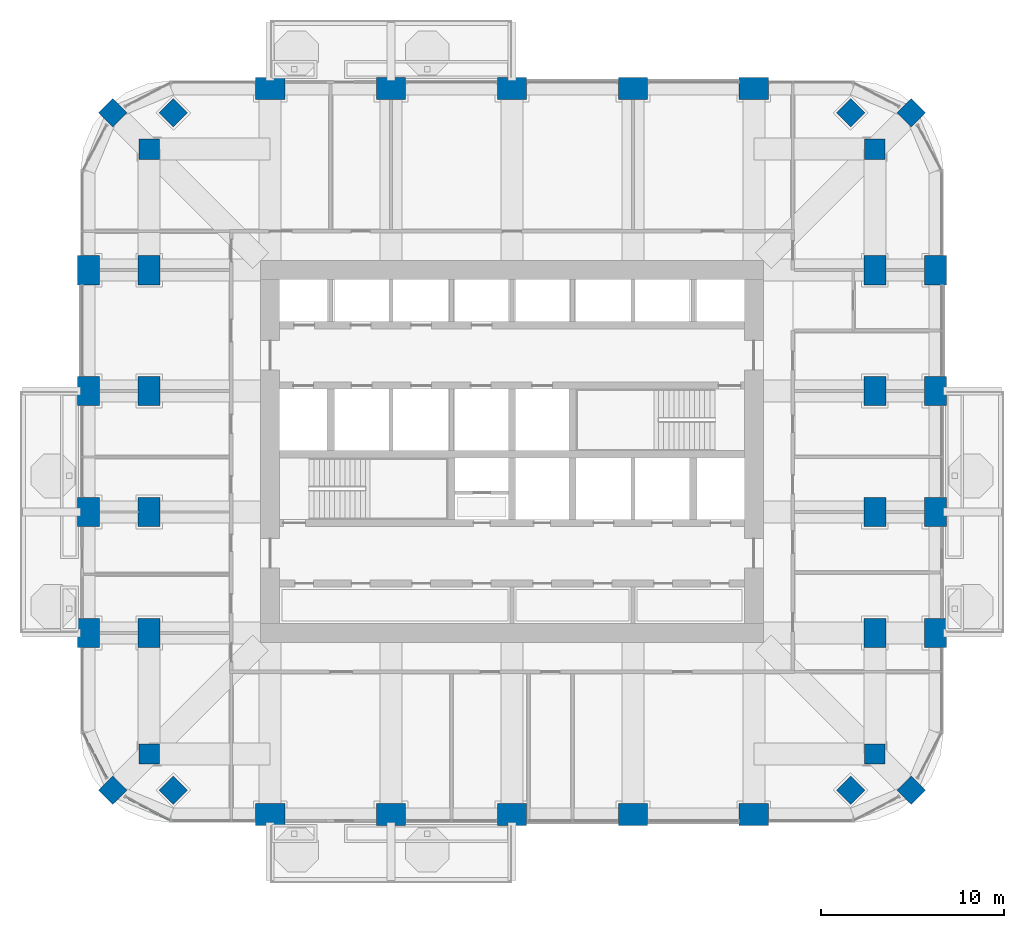
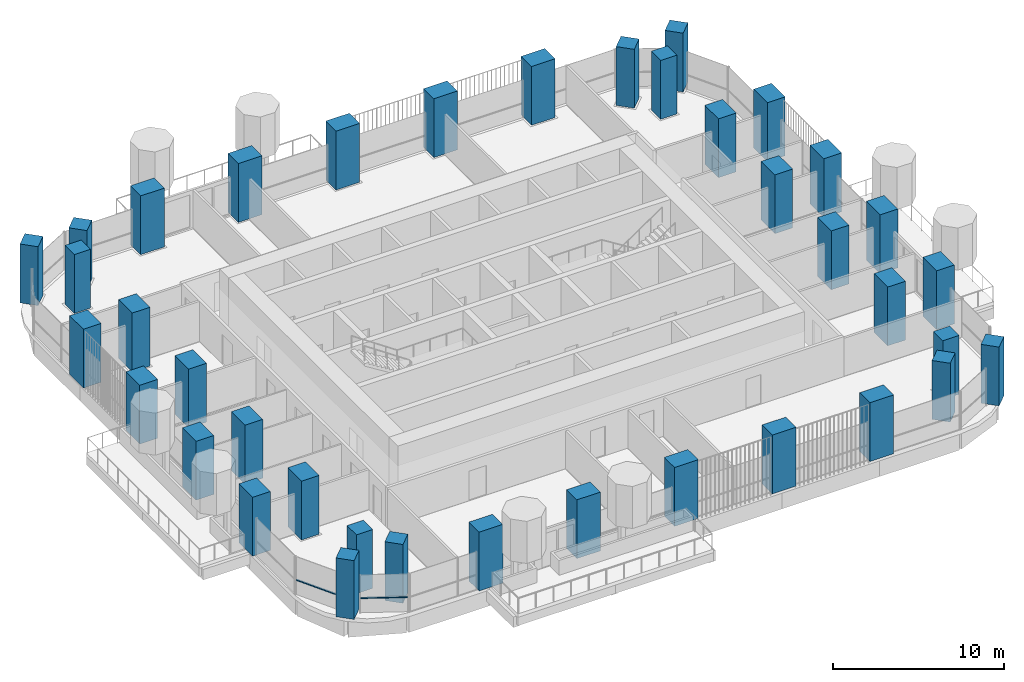
# One storey, part 1 of 20: 38 columns, 2 members, 2 elements without a shape of their own.
"""IFC4 building model written with IfcOpenShell, lengths in metres."""

from ifc_helpers import new_model, si_unit, direction, frame, origin, origin_2d, place, context, subcontext, project, spatial, rectangle, extrude, material, material_profile, profile_set, type_object, element, aggregate, save


model = new_model("IFC4")

# Units and contexts
model_context = context("Model", 3, precision=1e-05, world=origin(), true_north=direction((0.0, 1.0)))
body_context = subcontext(model_context, "Body", "Model", "MODEL_VIEW")
ifc_project = project(units=[si_unit("LENGTHUNIT", "METRE"), si_unit("AREAUNIT", "SQUARE_METRE"), si_unit("VOLUMEUNIT", "CUBIC_METRE"), si_unit("PLANEANGLEUNIT", "RADIAN"), si_unit("MASSUNIT", "GRAM", prefix="KILO")], contexts=[model_context])

# Site, building, storey
site_placement = place(None, origin())
site = spatial("IfcSite", under=ifc_project, at=site_placement, CompositionType="ELEMENT")
building_placement = place(site_placement, origin())
building = spatial("IfcBuilding", under=site, at=building_placement, Name="Cobogo Forest Laboratory Tower", CompositionType="ELEMENT")
storey_placement = place(building_placement, frame((0.0, 0.0, 193.5)))
storey = spatial("IfcBuildingStorey", under=building, at=storey_placement, Name="L44", CompositionType="ELEMENT", Elevation=193.5)

# Columns
ifc_material_1 = material(Name="Concrete HA-50 (C50/60)", Category="concrete")
ifc_material_profile_1 = material_profile(ifc_material_1, rectangle(XDim=1.60009765625, YDim=1.199951171875, at=origin_2d()), Name="RC 1200x1600")
ifc_profile_set_1 = profile_set([ifc_material_profile_1], Name="Concrete HA-50 (C50/60)")
column_type_1 = type_object("IfcColumnType", Name="Blade column 1200x1600", PredefinedType="COLUMN", material=ifc_profile_set_1)
for number, where, z_axis, x_axis, name in (
    (1, (13.199951171875, 3.300048828125, 0.0), (0.0, 0.0, 1.0), (1.0, 0.0, 0.0), "Column 3-A.1 L44"),
    (2, (19.800048828125, 3.300048828125, 0.0), (0.0, 0.0, 1.0), (1.0, 0.0, 0.0), "Column 4-A.1 L44"),
    (3, (26.39990234375, 3.300048828125, 0.0), (0.0, 0.0, 1.0), (1.0, 0.0, 0.0), "Column 5-A.1 L44"),
    (4, (33.0, 3.300048828125, 0.0), (0.0, 0.0, 1.0), (1.0, 0.0, 0.0), "Column 6-A.1 L44"),
    (5, (39.60009765625, 3.300048828125, 0.0), (0.0, 0.0, 1.0), (1.0, 0.0, 0.0), "Column 7-A.1 L44"),
    (6, (3.300048828125, 13.199951171875, 0.0), (0.0, 0.0, 1.0), (0.0, 1.0, 0.0), "Column 1.1-C L44"),
    (7, (49.5, 13.199951171875, 0.0), (0.0, 0.0, 1.0), (0.0, 1.0, 0.0), "Column 8.1-C L44"),
    (8, (3.300048828125, 19.800048828125, 0.0), (0.0, 0.0, 1.0), (0.0, 1.0, 0.0), "Column 1.1-D L44"),
    (9, (49.5, 19.800048828125, 0.0), (0.0, 0.0, 1.0), (0.0, 1.0, 0.0), "Column 8.1-D L44"),
    (10, (3.300048828125, 26.39990234375, 0.0), (0.0, 0.0, 1.0), (0.0, 1.0, 0.0), "Column 1.1-E L44"),
    (11, (49.5, 26.39990234375, 0.0), (0.0, 0.0, 1.0), (0.0, 1.0, 0.0), "Column 8.1-E L44"),
    (12, (3.300048828125, 33.0, 0.0), (0.0, 0.0, 1.0), (0.0, 1.0, 0.0), "Column 1.1-F L44"),
    (13, (49.5, 33.0, 0.0), (0.0, 0.0, 1.0), (0.0, 1.0, 0.0), "Column 8.1-F L44"),
    (14, (13.199951171875, 42.89990234375, 0.0), (0.0, 0.0, 1.0), (1.0, 0.0, 0.0), "Column 3-G.1 L44"),
    (15, (19.800048828125, 42.89990234375, 0.0), (0.0, 0.0, 1.0), (1.0, 0.0, 0.0), "Column 4-G.1 L44"),
    (16, (26.39990234375, 42.89990234375, 0.0), (0.0, 0.0, 1.0), (1.0, 0.0, 0.0), "Column 5-G.1 L44"),
    (17, (33.0, 42.89990234375, 0.0), (0.0, 0.0, 1.0), (1.0, 0.0, 0.0), "Column 6-G.1 L44"),
    (18, (39.60009765625, 42.89990234375, 0.0), (0.0, 0.0, 1.0), (1.0, 0.0, 0.0), "Column 7-G.1 L44"),
    (19, (6.60009765625, 13.199951171875, 0.0), (0.0, 0.0, 1.0), (0.0, 1.0, 0.0), "Column 2-C-D L44"),
    (20, (46.199951171875, 13.199951171875, 0.0), (0.0, 0.0, 1.0), (0.0, 1.0, 0.0), "Column 8-C-D L44"),
    (21, (6.60009765625, 19.800048828125, 0.0), (0.0, 0.0, 1.0), (0.0, 1.0, 0.0), "Column 2-D-D L44"),
    (22, (46.199951171875, 19.800048828125, 0.0), (0.0, 0.0, 1.0), (0.0, 1.0, 0.0), "Column 8-D-D L44"),
    (23, (6.60009765625, 26.39990234375, 0.0), (0.0, 0.0, 1.0), (0.0, 1.0, 0.0), "Column 2-E-D L44"),
    (24, (46.199951171875, 26.39990234375, 0.0), (0.0, 0.0, 1.0), (0.0, 1.0, 0.0), "Column 8-E-D L44"),
    (25, (6.60009765625, 33.0, 0.0), (0.0, 0.0, 1.0), (0.0, 1.0, 0.0), "Column 2-F-D L44"),
    (26, (46.199951171875, 33.0, 0.0), (0.0, 0.0, 1.0), (0.0, 1.0, 0.0), "Column 8-F-D L44"),
):
    element("IfcColumn", number, at=place(storey_placement, frame(where, z_axis=z_axis, x_axis=x_axis)), inside=storey, type_object=column_type_1, Name=name, PredefinedType="COLUMN", context=body_context, shape_type="SweptSolid", body=[
        extrude(rectangle(XDim=1.60009765625, YDim=1.199951171875, at=origin_2d()), origin(), (0.0, 0.0, 1.0), 4.199951171875),
    ])
ifc_material_profile_2 = material_profile(ifc_material_1, rectangle(XDim=1.10009765625, YDim=1.10009765625, at=origin_2d()), Name="RC 1100x1100")
ifc_profile_set_2 = profile_set([ifc_material_profile_2], Name="Concrete HA-50 (C50/60)")
column_type_2 = type_object("IfcColumnType", Name="Column 1100x1100", PredefinedType="COLUMN", material=ifc_profile_set_2)
for number, where, z_axis, x_axis, name in (
    (27, (4.617919921875, 4.617919921875, 0.0), (0.0, 0.0, 1.0), (0.707106781187, 0.707106781187, 0.0), "Column CNR-SW L44"),
    (28, (48.181884765625, 4.617919921875, 0.0), (0.0, 0.0, 1.0), (0.707106781187, 0.707106781187, 0.0), "Column CNR-SE L44"),
    (29, (4.617919921875, 41.58203125, 0.0), (0.0, 0.0, 1.0), (0.707106781187, 0.707106781187, 0.0), "Column CNR-NW L44"),
    (30, (48.181884765625, 41.58203125, 0.0), (0.0, 0.0, 1.0), (0.707106781187, 0.707106781187, 0.0), "Column CNR-NE L44"),
    (31, (6.60009765625, 6.60009765625, 0.0), (0.0, 0.0, 1.0), (1.0, 0.0, 0.0), "Column 2-B L44"),
    (32, (46.199951171875, 6.60009765625, 0.0), (0.0, 0.0, 1.0), (1.0, 0.0, 0.0), "Column 8-B L44"),
    (33, (6.60009765625, 39.60009765625, 0.0), (0.0, 0.0, 1.0), (1.0, 0.0, 0.0), "Column 2-G L44"),
    (34, (46.199951171875, 39.60009765625, 0.0), (0.0, 0.0, 1.0), (1.0, 0.0, 0.0), "Column 8-G L44"),
    (35, (7.91796875, 4.617919921875, 0.0), (0.0, 0.0, 1.0), (0.707106781187, 0.707106781187, 0.0), "Column CNR-SW-D L44"),
    (36, (44.882080078125, 4.617919921875, 0.0), (0.0, 0.0, 1.0), (0.707106781187, 0.707106781187, 0.0), "Column CNR-SE-D L44"),
    (37, (7.91796875, 41.58203125, 0.0), (0.0, 0.0, 1.0), (0.707106781187, 0.707106781187, 0.0), "Column CNR-NW-D L44"),
    (38, (44.882080078125, 41.58203125, 0.0), (0.0, 0.0, 1.0), (0.707106781187, 0.707106781187, 0.0), "Column CNR-NE-D L44"),
):
    element("IfcColumn", number, at=place(storey_placement, frame(where, z_axis=z_axis, x_axis=x_axis)), inside=storey, type_object=column_type_2, Name=name, PredefinedType="COLUMN", context=body_context, shape_type="SweptSolid", body=[
        extrude(rectangle(XDim=1.10009765625, YDim=1.10009765625, at=origin_2d()), origin(), (0.0, 0.0, 1.0), 4.199951171875),
    ])

# Curtain wall, member
ifc_material_2 = material(Name="Aluminium curtain wall", Category="aluminium")
curtain_wall_type = type_object("IfcCurtainWallType", Name="CW-2 unitised curtain wall, solar control glazing, laboratory floors zones C and D", PredefinedType="USERDEFINED", material=ifc_material_2)
curtain_wall_1_placement = place(storey_placement, origin())
curtain_wall_1 = element("IfcCurtainWall", 39, at=curtain_wall_1_placement, inside=storey, type_object=curtain_wall_type, Name="Curtain wall 29 L44", ObjectType="UNITISED CURTAIN WALL", PredefinedType="USERDEFINED")
ifc_material_3 = material(Name="Aluminium transom", Category="aluminium")
ifc_material_profile_3 = material_profile(ifc_material_3, rectangle(XDim=0.1201171875, YDim=0.06005859375, at=origin_2d()), Name="AL 60x120")
ifc_profile_set_3 = profile_set([ifc_material_profile_3], Name="Aluminium transom")
member_type = type_object("IfcMemberType", Name="TR-1 aluminium transom 60x120", PredefinedType="USERDEFINED", material=ifc_profile_set_3)
member_1_placement = place(storey_placement, frame((2.977783203125, 7.746826171875, 1.050048828125), z_axis=(0.464324225592, -0.885665294301, 0.0), x_axis=(0.885665294301, 0.464324225592, 0.0)))
member_1 = element("IfcMember", 40, at=member_1_placement, type_object=member_type, Name="CW-2 transom 1.1", ObjectType="TRANSOM", PredefinedType="USERDEFINED", context=body_context, shape_type="SweptSolid", body=[
    extrude(rectangle(XDim=0.1201171875, YDim=0.06005859375, at=origin_2d()), origin(), (0.0, 0.0, 1.0), 2.760498046875),
])
aggregate(curtain_wall_1, [member_1])

curtain_wall_2_placement = place(storey_placement, origin())
curtain_wall_2 = element("IfcCurtainWall", 41, at=curtain_wall_2_placement, inside=storey, type_object=curtain_wall_type, Name="Curtain wall 30 L44", ObjectType="UNITISED CURTAIN WALL", PredefinedType="USERDEFINED")
member_2_placement = place(storey_placement, frame((5.302001953125, 4.259521484375, 1.050048828125), z_axis=(0.885665294301, -0.464324225592, 0.0), x_axis=(0.464324225592, 0.885665294301, 0.0)))
member_2 = element("IfcMember", 42, at=member_2_placement, type_object=member_type, Name="CW-2 transom 1.1", ObjectType="TRANSOM", PredefinedType="USERDEFINED", context=body_context, shape_type="SweptSolid", body=[
    extrude(rectangle(XDim=0.1201171875, YDim=0.06005859375, at=origin_2d()), origin(), (0.0, 0.0, 1.0), 2.760498046875),
])
aggregate(curtain_wall_2, [member_2])

save(model, "model.ifc")
